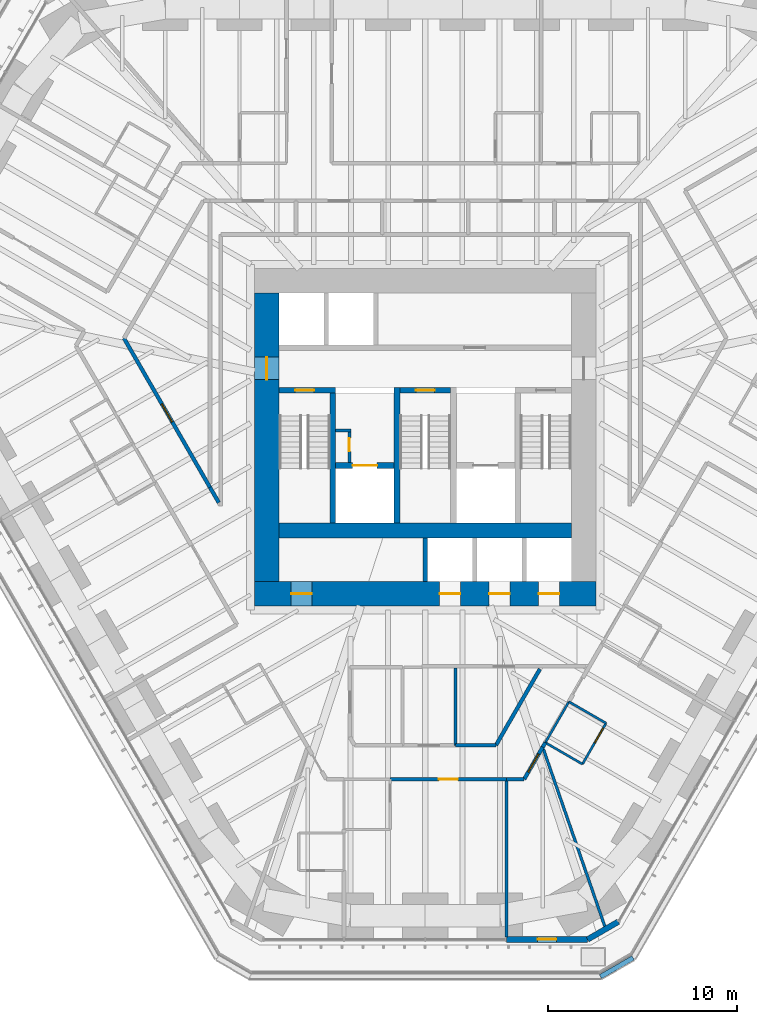
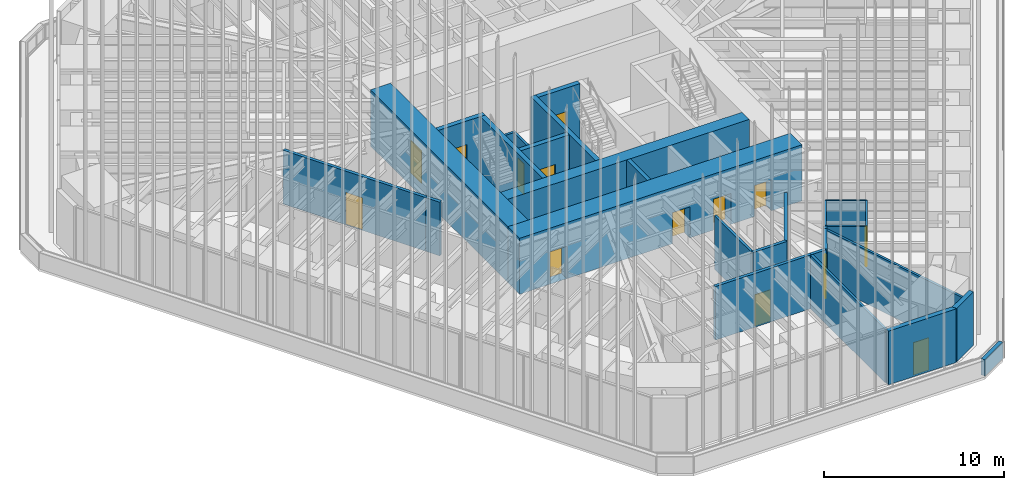
# One storey, part 231 of 238: 29 walls, 14 doors, 14 openings.
"""IFC4 building model written with IfcOpenShell, lengths in metres."""

from ifc_helpers import new_model, si_unit, direction, frame, frame_2d, origin, place, context, subcontext, project, spatial, rectangle, extrude, material, layer, layer_set, type_object, element, fill, save


model = new_model("IFC4")

# Units and contexts
model_context = context("Model", 3, precision=1e-05, world=origin(), true_north=direction((0.0, 1.0)))
body_context = subcontext(model_context, "Body", "Model", "MODEL_VIEW")
ifc_project = project(units=[si_unit("LENGTHUNIT", "METRE"), si_unit("AREAUNIT", "SQUARE_METRE"), si_unit("VOLUMEUNIT", "CUBIC_METRE"), si_unit("PLANEANGLEUNIT", "RADIAN"), si_unit("MASSUNIT", "GRAM", prefix="KILO")], contexts=[model_context])

# Site, building, storey
site_placement = place(None, origin())
site = spatial("IfcSite", under=ifc_project, at=site_placement, CompositionType="ELEMENT")
building_placement = place(site_placement, origin())
building = spatial("IfcBuilding", under=site, at=building_placement, Name="Sandreach Pilgrim Tower", CompositionType="ELEMENT")
storey_placement = place(building_placement, frame((0.0, 0.0, 96.800048828125)))
storey = spatial("IfcBuildingStorey", under=building, at=storey_placement, Name="L23", CompositionType="ELEMENT", Elevation=96.800048828125)

# Walls
ifc_material_1 = material(Name="Gypsum board on steel studs", Category="steel")
ifc_layer_1 = layer(ifc_material_1, 0.14990234375)
ifc_layer_set_1 = layer_set([ifc_layer_1], Name="Back of house wall 150")
wall_type_1 = type_object("IfcWallType", Name="Back of house wall 150", PredefinedType="PARTITIONING", material=ifc_layer_set_1)
wall_1_placement = place(storey_placement, frame((1.60009765625, -13.800048828125, 0.0), z_axis=(0.0, 0.0, 1.0), x_axis=(0.0, -1.0, 0.0)))
element("IfcWall", 1, at=wall_1_placement, inside=storey, type_object=wall_type_1, Name="Back of house wall L23-076", PredefinedType="PARTITIONING", context=body_context, shape_type="SweptSolid", body=[
    extrude(rectangle(XDim=4.08984375, YDim=0.14990234375, at=frame_2d((2.044921875, 0.0))), origin(), (0.0, 0.0, 1.0), 3.639892578125),
])
wall_2_placement = place(storey_placement, frame((4.31005859375, -28.070068359375, 0.0), z_axis=(0.0, 0.0, 1.0), x_axis=(0.0, 1.0, 0.0)))
element("IfcWall", 2, at=wall_2_placement, inside=storey, type_object=wall_type_1, Name="Back of house wall L23-083", PredefinedType="PARTITIONING", context=body_context, shape_type="SweptSolid", body=[
    extrude(rectangle(XDim=8.380126953125, YDim=0.14990234375, at=frame_2d((4.18994140625, 0.0))), origin(), (0.0, 0.0, 1.0), 3.639892578125),
])
wall_3_placement = place(storey_placement, frame((9.580078125, -27.651611328125, 0.0), z_axis=(0.0, 0.0, 1.0), x_axis=(-0.327598862793, 0.944816905594, 0.0)))
element("IfcWall", 3, at=wall_3_placement, inside=storey, type_object=wall_type_1, Name="Back of house wall L23-104", PredefinedType="PARTITIONING", context=body_context, shape_type="SweptSolid", body=[
    extrude(rectangle(XDim=10.130859375, YDim=0.14990234375, at=frame_2d((5.0654296875, 0.0))), origin(), (0.0, 0.0, 1.0), 3.639892578125),
])
ifc_material_2 = material(Name="Moisture-resistant gypsum board on steel studs", Category="steel")
ifc_layer_2 = layer(ifc_material_2, 0.1201171875)
ifc_layer_set_2 = layer_set([ifc_layer_2], Name="Bathroom partition 120")
wall_type_2 = type_object("IfcWallType", Name="Bathroom partition 120", PredefinedType="PARTITIONING", material=ifc_layer_set_2)
wall_4_placement = place(storey_placement, frame((6.3701171875, -17.75, 0.0), z_axis=(0.0, 0.0, 1.0), x_axis=(0.499159685399, 0.866510016372, 0.0)))
element("IfcWall", 4, at=wall_4_placement, inside=storey, type_object=wall_type_2, Name="Bathroom partition L23-092", PredefinedType="PARTITIONING", context=body_context, shape_type="SweptSolid", body=[
    extrude(rectangle(XDim=2.504150390625, YDim=0.1201171875, at=frame_2d((1.251953125, 0.0))), origin(), (0.0, 0.0, 1.0), 3.639892578125),
])
wall_5_placement = place(storey_placement, frame((6.3701171875, -17.75, 0.0), z_axis=(0.0, 0.0, 1.0), x_axis=(0.865543766642, -0.500833293649, 0.0)))
element("IfcWall", 5, at=wall_5_placement, inside=storey, type_object=wall_type_2, Name="Bathroom partition L23-093", PredefinedType="PARTITIONING", context=body_context, shape_type="SweptSolid", body=[
    extrude(rectangle(XDim=2.27587890625, YDim=0.1201171875, at=frame_2d((1.137939453125, 0.0))), origin(), (0.0, 0.0, 1.0), 3.639892578125),
])

# Wall, opening, door
wall_6_placement = place(storey_placement, frame((8.340087890625, -18.889892578125, 0.0), z_axis=(0.0, 0.0, 1.0), x_axis=(0.499159685399, 0.866510016372, 0.0)))
wall_6 = element("IfcWall", 6, at=wall_6_placement, inside=storey, type_object=wall_type_2, Name="Bathroom partition L23-098", PredefinedType="PARTITIONING", context=body_context, shape_type="SweptSolid", body=[
    extrude(rectangle(XDim=2.504150390625, YDim=0.1201171875, at=frame_2d((1.251953125, 0.0))), origin(), (0.0, 0.0, 1.0), 3.639892578125),
])
opening_1_placement = place(wall_6_placement, frame((1.30419921875, 0.0, 0.0)))
opening_1 = element("IfcOpeningElement", 7, at=opening_1_placement, cuts=wall_6, Name="Opening D09-08B", PredefinedType="OPENING", context=body_context, shape_type="SweptSolid", body=[
    extrude(rectangle(XDim=0.89990234375, YDim=2.030029296875, at=frame_2d((0.449951171875, 1.01513671875))), frame((0.0, 0.06005859375, 0.0), z_axis=(0.0, -1.0, 0.0), x_axis=(1.0, 0.0, 0.0)), (0.0, 0.0, 1.0), 0.1201171875),
])
ifc_material_3 = material(Name="Timber door, steel frame", Category="steel")
door_type_1 = type_object("IfcDoorType", Name="Bathroom door", OperationType="SINGLE_SWING_LEFT", PredefinedType="DOOR", material=ifc_material_3)
door_1_placement = place(opening_1_placement, origin())
door_1 = element("IfcDoor", 8, at=door_1_placement, inside=storey, type_object=door_type_1, Name="Door 2308B", OperationType="SINGLE_SWING_RIGHT", OverallHeight=2.030029296875, OverallWidth=0.89990234375, PredefinedType="DOOR", context=body_context, shape_type="SweptSolid", body=[
    extrude(rectangle(XDim=0.89990234375, YDim=2.030029296875, at=frame_2d((0.449951171875, 1.01513671875))), frame((0.0, 0.02490234375, 0.0), z_axis=(0.0, -1.0, 0.0), x_axis=(1.0, 0.0, 0.0)), (0.0, 0.0, 1.0), 0.050048828125),
])
fill(opening_1, door_1)

# Walls
wall_7_placement = place(storey_placement, frame((9.590087890625, -16.719970703125, 0.0), z_axis=(0.0, 0.0, 1.0), x_axis=(-0.865570669302, 0.500786797394, 0.0)))
element("IfcWall", 9, at=wall_7_placement, inside=storey, type_object=wall_type_2, Name="Bathroom partition L23-105", PredefinedType="PARTITIONING", context=body_context, shape_type="SweptSolid", body=[
    extrude(rectangle(XDim=2.276123046875, YDim=0.1201171875, at=frame_2d((1.13818359375, 0.0))), origin(), (0.0, 0.0, 1.0), 3.639892578125),
])
ifc_material_4 = material(Name="Concrete 10000 psi", Category="concrete")
ifc_layer_3 = layer(ifc_material_4, 0.300048828125)
ifc_layer_set_3 = layer_set([ifc_layer_3], Name="Core inner wall 300")
wall_type_3 = type_object("IfcWallType", Name="Core inner wall 300", PredefinedType="SHEAR", material=ifc_layer_set_3)
for number, where, z_axis, x_axis, name in (
    (10, (-4.89990234375, -6.10009765625, 0.0), (0.0, 0.0, 1.0), (0.0, 1.0, 0.0), "Core wall I0 L23"),
    (11, (-1.5, -6.10009765625, 0.0), (0.0, 0.0, 1.0), (0.0, 1.0, 0.0), "Core wall I1 L23"),
):
    element("IfcWall", number, at=place(storey_placement, frame(where, z_axis=z_axis, x_axis=x_axis)), inside=storey, type_object=wall_type_3, Name=name, PredefinedType="SHEAR", context=body_context, shape_type="SweptSolid", body=[
        extrude(rectangle(XDim=7.2001953125, YDim=0.300048828125, at=frame_2d((3.60009765625, 0.0))), origin(), (0.0, 0.0, 1.0), 3.800048828125),
    ])

# Wall, opening, door
wall_8_placement = place(storey_placement, frame((-7.75, 0.949951171875, 0.0), z_axis=(0.0, 0.0, 1.0), x_axis=(1.0, 0.0, 0.0)))
wall_8 = element("IfcWall", 12, at=wall_8_placement, inside=storey, type_object=wall_type_3, Name="Core wall SN1 L23", PredefinedType="SHEAR", context=body_context, shape_type="SweptSolid", body=[
    extrude(rectangle(XDim=3.0, YDim=0.300048828125, at=frame_2d((1.5, 0.0))), origin(), (0.0, 0.0, 1.0), 3.800048828125),
])
opening_2_placement = place(wall_8_placement, frame((0.85009765625, 0.0, 0.0)))
opening_2 = element("IfcOpeningElement", 13, at=opening_2_placement, cuts=wall_8, Name="Opening D10S-ST1", PredefinedType="OPENING", context=body_context, shape_type="SweptSolid", body=[
    extrude(rectangle(XDim=1.0, YDim=2.199951171875, at=frame_2d((0.5, 1.10009765625))), frame((0.0, 0.14990234375, 0.0), z_axis=(0.0, -1.0, 0.0), x_axis=(1.0, 0.0, 0.0)), (0.0, 0.0, 1.0), 0.300048828125),
])
ifc_material_5 = material(Name="Steel door and frame", Category="steel")
door_type_2 = type_object("IfcDoorType", Name="Stair door", OperationType="SINGLE_SWING_LEFT", PredefinedType="DOOR", material=ifc_material_5)
door_2_placement = place(opening_2_placement, origin())
door_2 = element("IfcDoor", 14, at=door_2_placement, inside=storey, type_object=door_type_2, Name="Stair door ST1 L23", OperationType="SINGLE_SWING_LEFT", OverallHeight=2.199951171875, OverallWidth=1.0, PredefinedType="DOOR", context=body_context, shape_type="SweptSolid", body=[
    extrude(rectangle(XDim=1.0, YDim=2.199951171875, at=frame_2d((0.5, 1.10009765625))), frame((0.0, 0.02490234375, 0.0), z_axis=(0.0, -1.0, 0.0), x_axis=(1.0, 0.0, 0.0)), (0.0, 0.0, 1.0), 0.050048828125),
])
fill(opening_2, door_2)

wall_9_placement = place(storey_placement, frame((-1.35009765625, 0.949951171875, 0.0), z_axis=(0.0, 0.0, 1.0), x_axis=(1.0, 0.0, 0.0)))
wall_9 = element("IfcWall", 15, at=wall_9_placement, inside=storey, type_object=wall_type_3, Name="Core wall SN3 L23", PredefinedType="SHEAR", context=body_context, shape_type="SweptSolid", body=[
    extrude(rectangle(XDim=2.7001953125, YDim=0.300048828125, at=frame_2d((1.35009765625, 0.0))), origin(), (0.0, 0.0, 1.0), 3.800048828125),
])
opening_3_placement = place(wall_9_placement, frame((0.85009765625, 0.0, 0.0)))
opening_3 = element("IfcOpeningElement", 16, at=opening_3_placement, cuts=wall_9, Name="Opening D10S-ST3", PredefinedType="OPENING", context=body_context, shape_type="SweptSolid", body=[
    extrude(rectangle(XDim=1.0, YDim=2.199951171875, at=frame_2d((0.5, 1.10009765625))), frame((0.0, 0.14990234375, 0.0), z_axis=(0.0, -1.0, 0.0), x_axis=(1.0, 0.0, 0.0)), (0.0, 0.0, 1.0), 0.300048828125),
])
door_3_placement = place(opening_3_placement, origin())
door_3 = element("IfcDoor", 17, at=door_3_placement, inside=storey, type_object=door_type_2, Name="Stair door ST3 L23", OperationType="SINGLE_SWING_LEFT", OverallHeight=2.199951171875, OverallWidth=1.0, PredefinedType="DOOR", context=body_context, shape_type="SweptSolid", body=[
    extrude(rectangle(XDim=1.0, YDim=2.199951171875, at=frame_2d((0.5, 1.10009765625))), frame((0.0, 0.02490234375, 0.0), z_axis=(0.0, -1.0, 0.0), x_axis=(1.0, 0.0, 0.0)), (0.0, 0.0, 1.0), 0.050048828125),
])
fill(opening_3, door_3)

wall_10_placement = place(storey_placement, frame((-4.75, -3.050048828125, 0.0), z_axis=(0.0, 0.0, 1.0), x_axis=(1.0, 0.0, 0.0)))
wall_10 = element("IfcWall", 18, at=wall_10_placement, inside=storey, type_object=wall_type_3, Name="Core wall FL1 L23", PredefinedType="SHEAR", context=body_context, shape_type="SweptSolid", body=[
    extrude(rectangle(XDim=3.10009765625, YDim=0.300048828125, at=frame_2d((1.550048828125, 0.0))), origin(), (0.0, 0.0, 1.0), 3.800048828125),
])
opening_4_placement = place(wall_10_placement, frame((0.89990234375, 0.0, 0.0)))
opening_4 = element("IfcOpeningElement", 19, at=opening_4_placement, cuts=wall_10, Name="Opening LD13", PredefinedType="OPENING", context=body_context, shape_type="SweptSolid", body=[
    extrude(rectangle(XDim=1.300048828125, YDim=2.10009765625, at=frame_2d((0.64990234375, 1.050048828125))), frame((0.0, 0.14990234375, 0.0), z_axis=(0.0, -1.0, 0.0), x_axis=(1.0, 0.0, 0.0)), (0.0, 0.0, 1.0), 0.300048828125),
])
ifc_material_6 = material(Name="Steel door and frame", Category="steel")
door_type_3 = type_object("IfcDoorType", Name="Fire service lift landing door", OperationType="DOUBLE_DOOR_SLIDING", PredefinedType="DOOR", material=ifc_material_6)
door_4_placement = place(opening_4_placement, origin())
door_4 = element("IfcDoor", 20, at=door_4_placement, inside=storey, type_object=door_type_3, Name="Lift landing door FS1 L23", OperationType="DOUBLE_DOOR_SLIDING", OverallHeight=2.10009765625, OverallWidth=1.300048828125, PredefinedType="DOOR", context=body_context, shape_type="SweptSolid", body=[
    extrude(rectangle(XDim=1.300048828125, YDim=2.10009765625, at=frame_2d((0.64990234375, 1.050048828125))), frame((0.0, 0.02490234375, 0.0), z_axis=(0.0, -1.0, 0.0), x_axis=(1.0, 0.0, 0.0)), (0.0, 0.0, 1.0), 0.050048828125),
])
fill(opening_4, door_4)

# Wall
ifc_material_7 = material(Name="Concrete 10000 psi", Category="concrete")
ifc_layer_4 = layer(ifc_material_7, 0.800048828125)
ifc_layer_set_4 = layer_set([ifc_layer_4], Name="Core mid wall 800")
wall_type_4 = type_object("IfcWallType", Name="Core mid wall 800", PredefinedType="SHEAR", material=ifc_layer_set_4)
wall_11_placement = place(storey_placement, frame((-7.75, -6.5, 0.0), z_axis=(0.0, 0.0, 1.0), x_axis=(1.0, 0.0, 0.0)))
element("IfcWall", 21, at=wall_11_placement, inside=storey, type_object=wall_type_4, Name="Core wall M L23", PredefinedType="SHEAR", context=body_context, shape_type="SweptSolid", body=[
    extrude(rectangle(XDim=15.5, YDim=0.800048828125, at=frame_2d((7.75, 0.0))), origin(), (0.0, 0.0, 1.0), 3.800048828125),
])

# Wall, openings, doors
ifc_material_8 = material(Name="Concrete 10000 psi", Category="concrete")
ifc_layer_5 = layer(ifc_material_8, 1.300048828125)
ifc_layer_set_5 = layer_set([ifc_layer_5], Name="Core wall 1300")
wall_type_5 = type_object("IfcWallType", Name="Core wall 1300", PredefinedType="SHEAR", material=ifc_layer_set_5)
wall_12_placement = place(storey_placement, frame((-9.050048828125, -9.85009765625, 0.0), z_axis=(0.0, 0.0, 1.0), x_axis=(1.0, 0.0, 0.0)))
wall_12 = element("IfcWall", 22, at=wall_12_placement, inside=storey, type_object=wall_type_5, Name="Core wall S L23", PredefinedType="SHEAR", context=body_context, shape_type="SweptSolid", body=[
    extrude(rectangle(XDim=18.10009765625, YDim=1.300048828125, at=frame_2d((9.050048828125, 0.0))), origin(), (0.0, 0.0, 1.0), 3.800048828125),
])
opening_5_placement = place(wall_12_placement, frame((1.9375, 0.0, 0.0)))
opening_5 = element("IfcOpeningElement", 23, at=opening_5_placement, cuts=wall_12, Name="Opening D11H", PredefinedType="OPENING", context=body_context, shape_type="SweptSolid", body=[
    extrude(rectangle(XDim=1.10009765625, YDim=2.199951171875, at=frame_2d((0.550048828125, 1.10009765625))), frame((0.0, 0.64990234375, 0.0), z_axis=(0.0, -1.0, 0.0), x_axis=(1.0, 0.0, 0.0)), (0.0, 0.0, 1.0), 1.300048828125),
])
opening_6_placement = place(wall_12_placement, frame((9.8125, 0.0, 0.0)))
opening_6 = element("IfcOpeningElement", 24, at=opening_6_placement, cuts=wall_12, Name="Opening LD11", PredefinedType="OPENING", context=body_context, shape_type="SweptSolid", body=[
    extrude(rectangle(XDim=1.10009765625, YDim=2.10009765625, at=frame_2d((0.550048828125, 1.050048828125))), frame((0.0, 0.64990234375, 0.0), z_axis=(0.0, -1.0, 0.0), x_axis=(1.0, 0.0, 0.0)), (0.0, 0.0, 1.0), 1.300048828125),
])
opening_7_placement = place(wall_12_placement, frame((12.4375, 0.0, 0.0)))
opening_7 = element("IfcOpeningElement", 25, at=opening_7_placement, cuts=wall_12, Name="Opening LD11", PredefinedType="OPENING", context=body_context, shape_type="SweptSolid", body=[
    extrude(rectangle(XDim=1.10009765625, YDim=2.10009765625, at=frame_2d((0.550048828125, 1.050048828125))), frame((0.0, 0.64990234375, 0.0), z_axis=(0.0, -1.0, 0.0), x_axis=(1.0, 0.0, 0.0)), (0.0, 0.0, 1.0), 1.300048828125),
])
opening_8_placement = place(wall_12_placement, frame((15.0625, 0.0, 0.0)))
opening_8 = element("IfcOpeningElement", 26, at=opening_8_placement, cuts=wall_12, Name="Opening LD11", PredefinedType="OPENING", context=body_context, shape_type="SweptSolid", body=[
    extrude(rectangle(XDim=1.10009765625, YDim=2.10009765625, at=frame_2d((0.550048828125, 1.050048828125))), frame((0.0, 0.64990234375, 0.0), z_axis=(0.0, -1.0, 0.0), x_axis=(1.0, 0.0, 0.0)), (0.0, 0.0, 1.0), 1.300048828125),
])
ifc_material_9 = material(Name="Steel door and frame", Category="steel")
door_type_4 = type_object("IfcDoorType", Name="Back of house door", OperationType="SINGLE_SWING_LEFT", PredefinedType="DOOR", material=ifc_material_9)
door_5_placement = place(opening_5_placement, origin())
door_5 = element("IfcDoor", 27, at=door_5_placement, inside=storey, type_object=door_type_4, Name="Door staff room 23K2", OperationType="SINGLE_SWING_LEFT", OverallHeight=2.199951171875, OverallWidth=1.10009765625, PredefinedType="DOOR", context=body_context, shape_type="SweptSolid", body=[
    extrude(rectangle(XDim=1.10009765625, YDim=2.199951171875, at=frame_2d((0.550048828125, 1.10009765625))), frame((0.0, 0.02490234375, 0.0), z_axis=(0.0, -1.0, 0.0), x_axis=(1.0, 0.0, 0.0)), (0.0, 0.0, 1.0), 0.050048828125),
])
fill(opening_5, door_5)
ifc_material_10 = material(Name="Steel door and frame", Category="steel")
door_type_5 = type_object("IfcDoorType", Name="Lift landing door", OperationType="DOUBLE_DOOR_SLIDING", PredefinedType="DOOR", material=ifc_material_10)
door_6_placement = place(opening_6_placement, origin())
door_6 = element("IfcDoor", 28, at=door_6_placement, inside=storey, type_object=door_type_5, Name="Lift landing door Z2A L23", OperationType="DOUBLE_DOOR_SLIDING", OverallHeight=2.10009765625, OverallWidth=1.10009765625, PredefinedType="DOOR", context=body_context, shape_type="SweptSolid", body=[
    extrude(rectangle(XDim=1.10009765625, YDim=2.10009765625, at=frame_2d((0.550048828125, 1.050048828125))), frame((0.0, 0.02490234375, 0.0), z_axis=(0.0, -1.0, 0.0), x_axis=(1.0, 0.0, 0.0)), (0.0, 0.0, 1.0), 0.050048828125),
])
fill(opening_6, door_6)
door_7_placement = place(opening_7_placement, origin())
door_7 = element("IfcDoor", 29, at=door_7_placement, inside=storey, type_object=door_type_5, Name="Lift landing door Z2B L23", OperationType="DOUBLE_DOOR_SLIDING", OverallHeight=2.10009765625, OverallWidth=1.10009765625, PredefinedType="DOOR", context=body_context, shape_type="SweptSolid", body=[
    extrude(rectangle(XDim=1.10009765625, YDim=2.10009765625, at=frame_2d((0.550048828125, 1.050048828125))), frame((0.0, 0.02490234375, 0.0), z_axis=(0.0, -1.0, 0.0), x_axis=(1.0, 0.0, 0.0)), (0.0, 0.0, 1.0), 0.050048828125),
])
fill(opening_7, door_7)
door_8_placement = place(opening_8_placement, origin())
door_8 = element("IfcDoor", 30, at=door_8_placement, inside=storey, type_object=door_type_5, Name="Lift landing door Z2C L23", OperationType="DOUBLE_DOOR_SLIDING", OverallHeight=2.10009765625, OverallWidth=1.10009765625, PredefinedType="DOOR", context=body_context, shape_type="SweptSolid", body=[
    extrude(rectangle(XDim=1.10009765625, YDim=2.10009765625, at=frame_2d((0.550048828125, 1.050048828125))), frame((0.0, 0.02490234375, 0.0), z_axis=(0.0, -1.0, 0.0), x_axis=(1.0, 0.0, 0.0)), (0.0, 0.0, 1.0), 0.050048828125),
])
fill(opening_8, door_8)

# Wall, opening, door
wall_13_placement = place(storey_placement, frame((-8.39990234375, -9.199951171875, 0.0), z_axis=(0.0, 0.0, 1.0), x_axis=(0.0, 1.0, 0.0)))
wall_13 = element("IfcWall", 31, at=wall_13_placement, inside=storey, type_object=wall_type_5, Name="Core wall W L23", PredefinedType="SHEAR", context=body_context, shape_type="SweptSolid", body=[
    extrude(rectangle(XDim=15.300048828125, YDim=1.300048828125, at=frame_2d((7.64990234375, 0.0))), origin(), (0.0, 0.0, 1.0), 3.800048828125),
])
opening_9_placement = place(wall_13_placement, frame((10.699951171875, 0.0, 0.0)))
opening_9 = element("IfcOpeningElement", 32, at=opening_9_placement, cuts=wall_13, Name="Opening D12F-W", PredefinedType="OPENING", context=body_context, shape_type="SweptSolid", body=[
    extrude(rectangle(XDim=1.199951171875, YDim=2.199951171875, at=frame_2d((0.60009765625, 1.10009765625))), frame((0.0, 0.64990234375, 0.0), z_axis=(0.0, -1.0, 0.0), x_axis=(1.0, 0.0, 0.0)), (0.0, 0.0, 1.0), 1.300048828125),
])
ifc_material_11 = material(Name="Steel door and frame", Category="steel")
door_type_6 = type_object("IfcDoorType", Name="Fire lobby door", OperationType="SINGLE_SWING_LEFT", PredefinedType="DOOR", material=ifc_material_11)
door_9_placement = place(opening_9_placement, origin())
door_9 = element("IfcDoor", 33, at=door_9_placement, inside=storey, type_object=door_type_6, Name="Fire service lobby door W L23", OperationType="SINGLE_SWING_RIGHT", OverallHeight=2.199951171875, OverallWidth=1.199951171875, PredefinedType="DOOR", context=body_context, shape_type="SweptSolid", body=[
    extrude(rectangle(XDim=1.199951171875, YDim=2.199951171875, at=frame_2d((0.60009765625, 1.10009765625))), frame((0.0, 0.02490234375, 0.0), z_axis=(0.0, -1.0, 0.0), x_axis=(1.0, 0.0, 0.0)), (0.0, 0.0, 1.0), 0.050048828125),
])
fill(opening_9, door_9)

ifc_material_12 = material(Name="Gypsum board on steel studs, two layers each side", Category="steel")
ifc_layer_6 = layer(ifc_material_12, 0.199951171875)
ifc_layer_set_6 = layer_set([ifc_layer_6], Name="Corridor wall 200")
wall_type_6 = type_object("IfcWallType", Name="Corridor wall 200", PredefinedType="PARTITIONING", material=ifc_layer_set_6)
wall_14_placement = place(storey_placement, frame((-11.419921875, -4.2099609375, 0.0), z_axis=(0.0, 0.0, 1.0), x_axis=(-0.499446957289, 0.866344467781, 0.0)))
wall_14 = element("IfcWall", 34, at=wall_14_placement, inside=storey, type_object=wall_type_6, Name="Corridor wall L23-029", PredefinedType="PARTITIONING", context=body_context, shape_type="SweptSolid", body=[
    extrude(rectangle(XDim=9.130126953125, YDim=0.199951171875, at=frame_2d((4.56494140625, 0.0))), origin(), (0.0, 0.0, 1.0), 3.639892578125),
])
opening_10_placement = place(wall_14_placement, frame((4.01513671875, 0.0, 0.0)))
opening_10 = element("IfcOpeningElement", 35, at=opening_10_placement, cuts=wall_14, Name="Opening D11H-M01", PredefinedType="OPENING", context=body_context, shape_type="SweptSolid", body=[
    extrude(rectangle(XDim=1.10009765625, YDim=2.199951171875, at=frame_2d((0.550048828125, 1.10009765625))), frame((0.0, 0.10009765625, 0.0), z_axis=(0.0, -1.0, 0.0), x_axis=(1.0, 0.0, 0.0)), (0.0, 0.0, 1.0), 0.199951171875),
])
door_10_placement = place(opening_10_placement, origin())
door_10 = element("IfcDoor", 36, at=door_10_placement, inside=storey, type_object=door_type_4, Name="Door 23M01", OperationType="SINGLE_SWING_LEFT", OverallHeight=2.199951171875, OverallWidth=1.10009765625, PredefinedType="DOOR", context=body_context, shape_type="SweptSolid", body=[
    extrude(rectangle(XDim=1.10009765625, YDim=2.199951171875, at=frame_2d((0.550048828125, 1.10009765625))), frame((0.0, 0.02490234375, 0.0), z_axis=(0.0, -1.0, 0.0), x_axis=(1.0, 0.0, 0.0)), (0.0, 0.0, 1.0), 0.050048828125),
])
fill(opening_10, door_10)

# Wall
wall_15_placement = place(storey_placement, frame((-10.947998046875, -5.021484375, 0.0), z_axis=(0.0, 0.0, 1.0), x_axis=(-0.502706337432, 0.86445725071, 0.0)))
element("IfcWall", 37, at=wall_15_placement, inside=storey, type_object=wall_type_6, Name="Corridor wall L23-034", PredefinedType="PARTITIONING", context=body_context, shape_type="SweptSolid", body=[
    extrude(rectangle(XDim=0.938720703125, YDim=0.199951171875, at=frame_2d((0.46923828125, 0.0))), origin(), (0.0, 0.0, 1.0), 3.639892578125),
])

# Wall, opening, door
wall_16_placement = place(storey_placement, frame((-1.860107421875, -19.68994140625, 0.0), z_axis=(0.0, 0.0, 1.0), x_axis=(1.0, 0.0, 0.0)))
wall_16 = element("IfcWall", 38, at=wall_16_placement, inside=storey, type_object=wall_type_6, Name="Corridor wall L23-071", PredefinedType="PARTITIONING", context=body_context, shape_type="SweptSolid", body=[
    extrude(rectangle(XDim=6.170166015625, YDim=0.199951171875, at=frame_2d((3.0849609375, 0.0))), origin(), (0.0, 0.0, 1.0), 3.639892578125),
])
opening_11_placement = place(wall_16_placement, frame((2.5849609375, 0.0, 0.0)))
opening_11 = element("IfcOpeningElement", 39, at=opening_11_placement, cuts=wall_16, Name="Opening D10-10", PredefinedType="OPENING", context=body_context, shape_type="SweptSolid", body=[
    extrude(rectangle(XDim=1.0, YDim=2.1298828125, at=frame_2d((0.5, 1.06494140625))), frame((0.0, 0.10009765625, 0.0), z_axis=(0.0, -1.0, 0.0), x_axis=(1.0, 0.0, 0.0)), (0.0, 0.0, 1.0), 0.199951171875),
])
ifc_material_13 = material(Name="Steel door and frame", Category="steel")
door_type_7 = type_object("IfcDoorType", Name="Guest room entry door", OperationType="SINGLE_SWING_LEFT", PredefinedType="DOOR", material=ifc_material_13)
door_11_placement = place(opening_11_placement, origin())
door_11 = element("IfcDoor", 40, at=door_11_placement, inside=storey, type_object=door_type_7, Name="Door 2310", OperationType="SINGLE_SWING_LEFT", OverallHeight=2.1298828125, OverallWidth=1.0, PredefinedType="DOOR", context=body_context, shape_type="SweptSolid", body=[
    extrude(rectangle(XDim=1.0, YDim=2.1298828125, at=frame_2d((0.5, 1.06494140625))), frame((0.0, 0.02490234375, 0.0), z_axis=(0.0, -1.0, 0.0), x_axis=(1.0, 0.0, 0.0)), (0.0, 0.0, 1.0), 0.050048828125),
])
fill(opening_11, door_11)

# Walls
wall_17_placement = place(storey_placement, frame((3.75, -17.889892578125, 0.0), z_axis=(0.0, 0.0, 1.0), x_axis=(-1.0, 0.0, 0.0)))
element("IfcWall", 41, at=wall_17_placement, inside=storey, type_object=wall_type_6, Name="Corridor wall L23-082", PredefinedType="PARTITIONING", context=body_context, shape_type="SweptSolid", body=[
    extrude(rectangle(XDim=2.14990234375, YDim=0.199951171875, at=frame_2d((1.074951171875, 0.0))), origin(), (0.0, 0.0, 1.0), 3.639892578125),
])
wall_18_placement = place(storey_placement, frame((4.31005859375, -19.68994140625, 0.0), z_axis=(0.0, 0.0, 1.0), x_axis=(1.0, 0.0, 0.0)))
element("IfcWall", 42, at=wall_18_placement, inside=storey, type_object=wall_type_6, Name="Corridor wall L23-084", PredefinedType="PARTITIONING", context=body_context, shape_type="SweptSolid", body=[
    extrude(rectangle(XDim=0.93994140625, YDim=0.199951171875, at=frame_2d((0.469970703125, 0.0))), origin(), (0.0, 0.0, 1.0), 3.639892578125),
])

# Wall, opening, door
wall_19_placement = place(storey_placement, frame((5.25, -19.68994140625, 0.0), z_axis=(0.0, 0.0, 1.0), x_axis=(0.499431599995, 0.866353321068, 0.0)))
wall_19 = element("IfcWall", 43, at=wall_19_placement, inside=storey, type_object=wall_type_6, Name="Corridor wall L23-085", PredefinedType="PARTITIONING", context=body_context, shape_type="SweptSolid", body=[
    extrude(rectangle(XDim=1.962158203125, YDim=0.199951171875, at=frame_2d((0.98095703125, 0.0))), origin(), (0.0, 0.0, 1.0), 3.639892578125),
])
opening_12_placement = place(wall_19_placement, frame((0.43115234375, 0.0, 0.0)))
opening_12 = element("IfcOpeningElement", 44, at=opening_12_placement, cuts=wall_19, Name="Opening D11H-09", PredefinedType="OPENING", context=body_context, shape_type="SweptSolid", body=[
    extrude(rectangle(XDim=1.10009765625, YDim=2.199951171875, at=frame_2d((0.550048828125, 1.10009765625))), frame((0.0, 0.10009765625, 0.0), z_axis=(0.0, -1.0, 0.0), x_axis=(1.0, 0.0, 0.0)), (0.0, 0.0, 1.0), 0.199951171875),
])
door_12_placement = place(opening_12_placement, origin())
door_12 = element("IfcDoor", 45, at=door_12_placement, inside=storey, type_object=door_type_4, Name="Door 2309", OperationType="SINGLE_SWING_LEFT", OverallHeight=2.199951171875, OverallWidth=1.10009765625, PredefinedType="DOOR", context=body_context, shape_type="SweptSolid", body=[
    extrude(rectangle(XDim=1.10009765625, YDim=2.199951171875, at=frame_2d((0.550048828125, 1.10009765625))), frame((0.0, 0.02490234375, 0.0), z_axis=(0.0, -1.0, 0.0), x_axis=(1.0, 0.0, 0.0)), (0.0, 0.0, 1.0), 0.050048828125),
])
fill(opening_12, door_12)

# Walls
wall_20_placement = place(storey_placement, frame((6.08251953125, -13.849609375, 0.0), z_axis=(0.0, 0.0, 1.0), x_axis=(-0.499977643516, -0.866038310922, 0.0)))
element("IfcWall", 46, at=wall_20_placement, inside=storey, type_object=wall_type_6, Name="Corridor wall L23-086", PredefinedType="PARTITIONING", context=body_context, shape_type="SweptSolid", body=[
    extrude(rectangle(XDim=4.665283203125, YDim=0.199951171875, at=frame_2d((2.33251953125, 0.0))), origin(), (0.0, 0.0, 1.0), 3.639892578125),
])
wall_21_placement = place(storey_placement, frame((6.22998046875, -17.989990234375, 0.0), z_axis=(0.0, 0.0, 1.0), x_axis=(0.503597773627, 0.863938239921, 0.0)))
element("IfcWall", 47, at=wall_21_placement, inside=storey, type_object=wall_type_6, Name="Corridor wall L23-091", PredefinedType="PARTITIONING", context=body_context, shape_type="SweptSolid", body=[
    extrude(rectangle(XDim=0.27783203125, YDim=0.199951171875, at=frame_2d((0.138916015625, 0.0))), origin(), (0.0, 0.0, 1.0), 3.639892578125),
])

# Wall, opening, door
ifc_material_14 = material(Name="Gypsum shaft wall on steel studs, shaft liner board", Category="steel")
ifc_layer_7 = layer(ifc_material_14, 0.14990234375)
ifc_layer_set_7 = layer_set([ifc_layer_7], Name="Riser shaft wall 150")
wall_type_7 = type_object("IfcWallType", Name="Riser shaft wall 150", PredefinedType="PARTITIONING", material=ifc_layer_set_7)
wall_22_placement = place(storey_placement, frame((-4.02490234375, -2.89990234375, 0.0), z_axis=(0.0, 0.0, 1.0), x_axis=(0.0, 1.0, 0.0)))
wall_22 = element("IfcWall", 48, at=wall_22_placement, inside=storey, type_object=wall_type_7, Name="Riser partition L23 side", PredefinedType="PARTITIONING", context=body_context, shape_type="SweptSolid", body=[
    extrude(rectangle(XDim=1.77490234375, YDim=0.14990234375, at=frame_2d((0.887451171875, 0.0))), origin(), (0.0, 0.0, 1.0), 3.639892578125),
])
opening_13_placement = place(wall_22_placement, frame((0.60009765625, 0.0, 0.0)))
opening_13 = element("IfcOpeningElement", 49, at=opening_13_placement, cuts=wall_22, Name="Opening D07R", PredefinedType="OPENING", context=body_context, shape_type="SweptSolid", body=[
    extrude(rectangle(XDim=0.699951171875, YDim=2.10009765625, at=frame_2d((0.35009765625, 1.050048828125))), frame((0.0, 0.074951171875, 0.0), z_axis=(0.0, -1.0, 0.0), x_axis=(1.0, 0.0, 0.0)), (0.0, 0.0, 1.0), 0.14990234375),
])
ifc_material_15 = material(Name="Steel door and frame, smoke seals", Category="steel")
door_type_8 = type_object("IfcDoorType", Name="Riser access door", OperationType="SINGLE_SWING_RIGHT", PredefinedType="DOOR", material=ifc_material_15)
door_13_placement = place(opening_13_placement, origin())
door_13 = element("IfcDoor", 50, at=door_13_placement, inside=storey, type_object=door_type_8, Name="Door riser 23ER", OperationType="SINGLE_SWING_RIGHT", OverallHeight=2.10009765625, OverallWidth=0.699951171875, PredefinedType="DOOR", context=body_context, shape_type="SweptSolid", body=[
    extrude(rectangle(XDim=0.699951171875, YDim=2.10009765625, at=frame_2d((0.35009765625, 1.050048828125))), frame((0.0, 0.02490234375, 0.0), z_axis=(0.0, -1.0, 0.0), x_axis=(1.0, 0.0, 0.0)), (0.0, 0.0, 1.0), 0.050048828125),
])
fill(opening_13, door_13)

# Wall
wall_23_placement = place(storey_placement, frame((-4.75, -1.199951171875, 0.0), z_axis=(0.0, 0.0, 1.0), x_axis=(1.0, 0.0, 0.0)))
element("IfcWall", 51, at=wall_23_placement, inside=storey, type_object=wall_type_7, Name="Riser partition L23 front", PredefinedType="PARTITIONING", context=body_context, shape_type="SweptSolid", body=[
    extrude(rectangle(XDim=0.800048828125, YDim=0.14990234375, at=frame_2d((0.39990234375, 0.0))), origin(), (0.0, 0.0, 1.0), 3.639892578125),
])

# Wall, opening, door
ifc_material_16 = material(Name="Terracotta rainscreen on concrete blockwork", Category="masonry")
ifc_layer_8 = layer(ifc_material_16, 0.300048828125)
ifc_layer_set_8 = layer_set([ifc_layer_8], Name="Roof maintenance door wall")
wall_type_8 = type_object("IfcWallType", Name="Roof maintenance door wall", PredefinedType="SOLIDWALL", material=ifc_layer_set_8)
wall_24_placement = place(storey_placement, frame((8.611328125, -28.192138671875, 0.0), z_axis=(0.0, 0.0, 1.0), x_axis=(-1.0, 0.0, 0.0)))
wall_24 = element("IfcWall", 52, at=wall_24_placement, inside=storey, type_object=wall_type_8, Name="Roof maintenance door wall L23 S", PredefinedType="SOLIDWALL", context=body_context, shape_type="SweptSolid", body=[
    extrude(rectangle(XDim=4.3056640625, YDim=0.300048828125, at=frame_2d((2.15283203125, 0.0))), origin(), (0.0, 0.0, 1.0), 3.639892578125),
])
opening_14_placement = place(wall_24_placement, frame((1.65283203125, 0.0, 0.0)))
opening_14 = element("IfcOpeningElement", 53, at=opening_14_placement, cuts=wall_24, Name="Opening D10R-L23", PredefinedType="OPENING", context=body_context, shape_type="SweptSolid", body=[
    extrude(rectangle(XDim=1.0, YDim=2.199951171875, at=frame_2d((0.5, 1.10009765625))), frame((0.0, 0.14990234375, 0.0), z_axis=(0.0, -1.0, 0.0), x_axis=(1.0, 0.0, 0.0)), (0.0, 0.0, 1.0), 0.300048828125),
])
ifc_material_17 = material(Name="Steel door and frame", Category="steel")
door_type_9 = type_object("IfcDoorType", Name="Roof maintenance door", OperationType="SINGLE_SWING_LEFT", PredefinedType="DOOR", material=ifc_material_17)
door_14_placement = place(opening_14_placement, origin())
door_14 = element("IfcDoor", 54, at=door_14_placement, inside=storey, type_object=door_type_9, Name="Roof maintenance door L23", OperationType="SINGLE_SWING_LEFT", OverallHeight=2.199951171875, OverallWidth=1.0, PredefinedType="DOOR", context=body_context, shape_type="SweptSolid", body=[
    extrude(rectangle(XDim=1.0, YDim=2.199951171875, at=frame_2d((0.5, 1.10009765625))), frame((0.0, 0.02490234375, 0.0), z_axis=(0.0, -1.0, 0.0), x_axis=(1.0, 0.0, 0.0)), (0.0, 0.0, 1.0), 0.050048828125),
])
fill(opening_14, door_14)

# Walls
ifc_material_18 = material(Name="Concrete parapet with terracotta coping", Category="masonry")
ifc_layer_9 = layer(ifc_material_18, 0.25)
ifc_layer_set_9 = layer_set([ifc_layer_9], Name="Setback parapet")
wall_type_9 = type_object("IfcWallType", Name="Setback parapet", PredefinedType="PARAPET", material=ifc_layer_set_9)
wall_25_placement = place(storey_placement, frame((9.301025390625, -30.16748046875, 0.0), z_axis=(0.0, 0.0, 1.0), x_axis=(0.865627711351, 0.500688191733, 0.0)))
element("IfcWall", 55, at=wall_25_placement, inside=storey, type_object=wall_type_9, Name="Setback parapet L23 7", PredefinedType="PARAPET", context=body_context, shape_type="SweptSolid", body=[
    extrude(rectangle(XDim=1.990966796875, YDim=0.25, at=frame_2d((0.99560546875, 0.0))), origin(), (0.0, 0.0, 1.0), 1.099853515625),
])
ifc_material_19 = material(Name="Gypsum shaft wall on steel studs, two layers of shaft liner board", Category="steel")
ifc_layer_10 = layer(ifc_material_19, 0.25)
ifc_layer_set_10 = layer_set([ifc_layer_10], Name="Shaft partition 250")
wall_type_10 = type_object("IfcWallType", Name="Shaft partition 250", PredefinedType="PARTITIONING", material=ifc_layer_set_10)
wall_26_placement = place(storey_placement, frame((0.0, -9.199951171875, 0.0), z_axis=(0.0, 0.0, 1.0), x_axis=(0.0, 1.0, 0.0)))
element("IfcWall", 56, at=wall_26_placement, inside=storey, type_object=wall_type_10, Name="Shaft partition XS2 L23", PredefinedType="PARTITIONING", context=body_context, shape_type="SweptSolid", body=[
    extrude(rectangle(XDim=2.300048828125, YDim=0.25, at=frame_2d((1.14990234375, 0.0))), origin(), (0.0, 0.0, 1.0), 3.800048828125),
])
ifc_material_20 = material(Name="Terracotta rainscreen on concrete", Category="masonry")
ifc_layer_11 = layer(ifc_material_20, 0.300048828125)
ifc_layer_set_11 = layer_set([ifc_layer_11], Name="Terracotta chamfer pier")
wall_type_11 = type_object("IfcWallType", Name="Terracotta chamfer pier", PredefinedType="SOLIDWALL", material=ifc_layer_set_11)
wall_27_placement = place(storey_placement, frame((10.239501953125, -27.252197265625, 0.0), z_axis=(0.0, 0.0, 1.0), x_axis=(-0.866045024864, -0.499966013754, 0.0)))
element("IfcWall", 57, at=wall_27_placement, inside=storey, type_object=wall_type_11, Name="Chamfer pier L23 SE", PredefinedType="SOLIDWALL", context=body_context, shape_type="SweptSolid", body=[
    extrude(rectangle(XDim=1.880126953125, YDim=0.300048828125, at=frame_2d((0.93994140625, 0.0))), origin(), (0.0, 0.0, 1.0), 3.639892578125),
])

save(model, "model.ifc")
